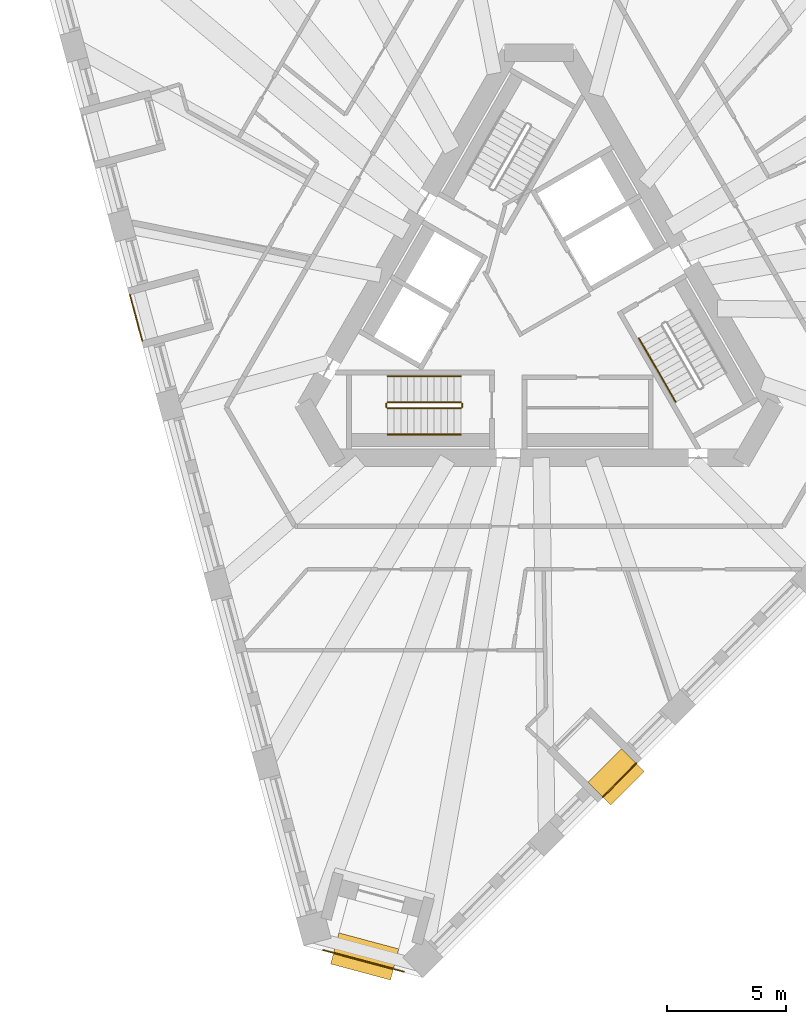
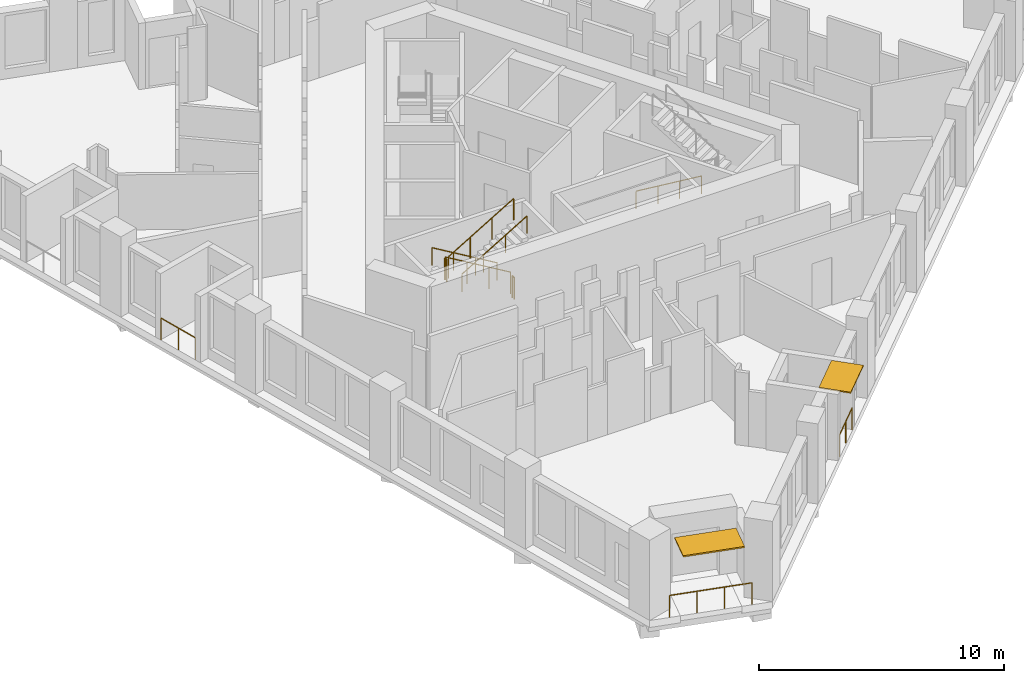
# One storey, part 10 of 13: 10 railings, 2 shading devices.
"""IFC4 building model written with IfcOpenShell, lengths in metres."""

from ifc_helpers import new_model, si_unit, direction, frame, origin, origin_2d, place, context, subcontext, project, spatial, rectangle, circle, extrude, material, layer, layer_set, type_object, element, save


model = new_model("IFC4")

# Units and contexts
model_context = context("Model", 3, precision=1e-05, world=origin(), true_north=direction((0.0, 1.0)))
body_context = subcontext(model_context, "Body", "Model", "MODEL_VIEW")
ifc_project = project(units=[si_unit("LENGTHUNIT", "METRE"), si_unit("AREAUNIT", "SQUARE_METRE"), si_unit("VOLUMEUNIT", "CUBIC_METRE"), si_unit("PLANEANGLEUNIT", "RADIAN"), si_unit("MASSUNIT", "GRAM", prefix="KILO")], contexts=[model_context])

# Site, building, storey
site_placement = place(None, origin())
site = spatial("IfcSite", under=ifc_project, at=site_placement, CompositionType="ELEMENT")
building_placement = place(site_placement, origin())
building = spatial("IfcBuilding", under=site, at=building_placement, Name="Tramontana Tower", CompositionType="ELEMENT")
storey_placement = place(building_placement, frame((0.0, 0.0, 224.0)))
storey = spatial("IfcBuildingStorey", under=building, at=storey_placement, Name="L52", CompositionType="ELEMENT", Elevation=224.0)

# Railings
ifc_material_1 = material(Name="Laminated glass balustrade", Category="glass")
railing_type_1 = type_object("IfcRailingType", Name="GD1 Loggia glass balustrade 1100", PredefinedType="BALUSTRADE", material=ifc_material_1)
railing_1_placement = place(storey_placement, frame((-17.176025390625, 0.466552734375, 0.0)))
element("IfcRailing", 1, at=railing_1_placement, inside=storey, type_object=railing_type_1, Name="Loggia balustrade L52 G5S0.7", PredefinedType="BALUSTRADE", context=body_context, shape_type="SweptSolid", body=[
    extrude(circle(Radius=0.02392578125, at=origin_2d()), frame((0.0, 0.0, 1.076171875), z_axis=(0.258803270362, -0.96593005298, 0.0), x_axis=(0.96593005298, 0.258803270362, 0.0)), (0.0, 0.0, 1.0), 1.998046875),
    extrude(circle(Radius=0.02099609375, at=origin_2d()), origin(), (0.0, 0.0, 1.0), 1.052001953125),
    extrude(circle(Radius=0.02099609375, at=origin_2d()), frame((0.258544921875, -0.96484375, 0.0)), (0.0, 0.0, 1.0), 1.052001953125),
    extrude(circle(Radius=0.02099609375, at=origin_2d()), frame((0.51708984375, -1.929931640625, 0.0)), (0.0, 0.0, 1.0), 1.052001953125),
])
railing_2_placement = place(storey_placement, frame((2.672607421875, -20.619384765625, 0.0)))
element("IfcRailing", 2, at=railing_2_placement, inside=storey, type_object=railing_type_1, Name="Loggia balustrade L52 G5S1.4", PredefinedType="BALUSTRADE", context=body_context, shape_type="SweptSolid", body=[
    extrude(circle(Radius=0.02392578125, at=origin_2d()), frame((0.0, 0.0, 1.076171875), z_axis=(0.707106781187, 0.707106781187, 0.0), x_axis=(-0.707106781187, 0.707106781187, 0.0)), (0.0, 0.0, 1.0), 1.998046875),
    extrude(circle(Radius=0.02099609375, at=origin_2d()), origin(), (0.0, 0.0, 1.0), 1.052001953125),
    extrude(circle(Radius=0.02099609375, at=origin_2d()), frame((0.70654296875, 0.70654296875, 0.0)), (0.0, 0.0, 1.0), 1.052001953125),
    extrude(circle(Radius=0.02099609375, at=origin_2d()), frame((1.412841796875, 1.412841796875, 0.0)), (0.0, 0.0, 1.0), 1.052001953125),
])
railing_3_placement = place(storey_placement, frame((-5.67822265625, -27.952880859375, 0.0)))
element("IfcRailing", 3, at=railing_3_placement, inside=storey, type_object=railing_type_1, Name="Corner loggia balustrade L52 K51", PredefinedType="BALUSTRADE", context=body_context, shape_type="SweptSolid", body=[
    extrude(circle(Radius=0.02392578125, at=origin_2d()), frame((0.0, 0.0, 1.076171875), z_axis=(-0.965913486506, 0.258865093408, 0.0), x_axis=(-0.258865093408, -0.965913486506, 0.0)), (0.0, 0.0, 1.0), 3.5),
    extrude(circle(Radius=0.02099609375, at=origin_2d()), origin(), (0.0, 0.0, 1.0), 1.052001953125),
    extrude(circle(Radius=0.02099609375, at=origin_2d()), frame((-1.126953125, 0.302001953125, 0.0)), (0.0, 0.0, 1.0), 1.052001953125),
    extrude(circle(Radius=0.02099609375, at=origin_2d()), frame((-2.253662109375, 0.60400390625, 0.0)), (0.0, 0.0, 1.0), 1.052001953125),
    extrude(circle(Radius=0.02099609375, at=origin_2d()), frame((-3.380615234375, 0.906005859375, 0.0)), (0.0, 0.0, 1.0), 1.052001953125),
])

# Shading devices
ifc_material_2 = material(Name="Precast concrete 60 MPa", Category="concrete")
ifc_layer_1 = layer(ifc_material_2, 0.06005859375)
ifc_layer_set_1 = layer_set([ifc_layer_1], Name="SS1 Stone sunshade blade 60")
shading_device_type_1 = type_object("IfcShadingDeviceType", Name="SS1 Stone sunshade blade 60", PredefinedType="USERDEFINED", material=ifc_layer_set_1)
shading_device_1_placement = place(storey_placement, frame((3.2412109375, -19.775146484375, 3.239990234375), z_axis=(0.0, 0.0, 1.0), x_axis=(0.707106781187, 0.707106781187, 0.0)))
element("IfcShadingDevice", 4, at=shading_device_1_placement, inside=storey, type_object=shading_device_type_1, Name="Sunshade L52 G5S1.4", ObjectType="SUNSHADE", PredefinedType="USERDEFINED", context=body_context, shape_type="SweptSolid", body=[
    extrude(rectangle(XDim=1.998046875, YDim=1.35009765625, at=origin_2d()), origin(), (0.0, 0.0, 1.0), 0.06005859375),
])
ifc_material_3 = material(Name="Precast concrete 60 MPa", Category="concrete")
ifc_layer_2 = layer(ifc_material_3, 0.070068359375)
ifc_layer_set_2 = layer_set([ifc_layer_2], Name="SS2 Stone sunshade blade 70")
shading_device_type_2 = type_object("IfcShadingDeviceType", Name="SS2 Stone sunshade blade 70", PredefinedType="USERDEFINED", material=ifc_layer_set_2)
shading_device_2_placement = place(storey_placement, frame((-7.318115234375, -27.3115234375, 3.22998046875), z_axis=(0.0, 0.0, 1.0), x_axis=(-0.965925826289, 0.258819045103, 0.0)))
element("IfcShadingDevice", 5, at=shading_device_2_placement, inside=storey, type_object=shading_device_type_2, Name="Corner sunshade L52 K51", ObjectType="SUNSHADE", PredefinedType="USERDEFINED", context=body_context, shape_type="SweptSolid", body=[
    extrude(rectangle(XDim=2.60009765625, YDim=1.35009765625, at=origin_2d()), origin(), (0.0, 0.0, 1.0), 0.070068359375),
])

# Railings
ifc_material_4 = material(Name="Painted steel", Category="steel")
railing_type_2 = type_object("IfcRailingType", Name="STAIR GUARD 1100", PredefinedType="GUARDRAIL", material=ifc_material_4)
railing_4_placement = place(storey_placement, frame((-3.280029296875, -4.050048828125, 0.166748046875)))
element("IfcRailing", 6, at=railing_4_placement, inside=storey, type_object=railing_type_2, Name="L52 ST2 stair guard 1", PredefinedType="GUARDRAIL", context=body_context, shape_type="SweptSolid", body=[
    extrude(circle(Radius=0.02392578125, at=origin_2d()), frame((0.0, 0.0, 1.076171875), z_axis=(-0.859308565015, 0.0, 0.511457515432), x_axis=(0.0, -1.0, 0.0)), (0.0, 0.0, 1.0), 3.58447265625),
    extrude(circle(Radius=0.02099609375, at=origin_2d()), origin(), (0.0, 0.0, 1.0), 1.052001953125),
    extrude(circle(Radius=0.02099609375, at=origin_2d()), frame((-1.026611328125, 0.0, 0.611083984375)), (0.0, 0.0, 1.0), 1.052001953125),
    extrude(circle(Radius=0.02099609375, at=origin_2d()), frame((-2.053466796875, 0.0, 1.22216796875)), (0.0, 0.0, 1.0), 1.052001953125),
    extrude(circle(Radius=0.02099609375, at=origin_2d()), frame((-3.080078125, 0.0, 1.833251953125)), (0.0, 0.0, 1.0), 1.052001953125),
])
railing_5_placement = place(storey_placement, frame((-6.360107421875, -4.300048828125, 2.166748046875)))
element("IfcRailing", 7, at=railing_5_placement, inside=storey, type_object=railing_type_2, Name="L52 ST2 stair guard 2", PredefinedType="GUARDRAIL", context=body_context, shape_type="SweptSolid", body=[
    extrude(circle(Radius=0.02392578125, at=origin_2d()), frame((0.0, 0.0, 1.076171875), z_axis=(0.859308565015, 0.0, 0.511457515432), x_axis=(0.0, 1.0, 0.0)), (0.0, 0.0, 1.0), 3.58447265625),
    extrude(circle(Radius=0.02099609375, at=origin_2d()), origin(), (0.0, 0.0, 1.0), 1.052001953125),
    extrude(circle(Radius=0.02099609375, at=origin_2d()), frame((1.026611328125, 0.0, 0.611083984375)), (0.0, 0.0, 1.0), 1.052001953125),
    extrude(circle(Radius=0.02099609375, at=origin_2d()), frame((2.053466796875, 0.0, 1.22216796875)), (0.0, 0.0, 1.0), 1.052001953125),
    extrude(circle(Radius=0.02099609375, at=origin_2d()), frame((3.080078125, 0.0, 1.833251953125)), (0.0, 0.0, 1.0), 1.052001953125),
])
for number, where, name in (
    (8, (-6.409912109375, -4.10009765625, 2.0), "L52 ST2 stair guard 3"),
    (9, (-3.22998046875, -4.10009765625, 0.0), "L52 ST2 stair guard 4"),
):
    element("IfcRailing", number, at=place(storey_placement, frame(where)), inside=storey, type_object=railing_type_2, Name=name, PredefinedType="GUARDRAIL", context=body_context, shape_type="SweptSolid", body=[
        extrude(circle(Radius=0.02392578125, at=origin_2d()), frame((0.0, 0.0, 1.076171875), z_axis=(0.0, -1.0, 0.0), x_axis=(1.0, 0.0, 0.0)), (0.0, 0.0, 1.0), 0.14990234375),
        extrude(circle(Radius=0.02099609375, at=origin_2d()), origin(), (0.0, 0.0, 1.0), 1.052001953125),
        extrude(circle(Radius=0.02099609375, at=origin_2d()), frame((0.0, -0.14990234375, 0.0)), (0.0, 0.0, 1.0), 1.052001953125),
    ])
ifc_material_5 = material(Name="Painted steel", Category="steel")
railing_type_3 = type_object("IfcRailingType", Name="STAIR HANDRAIL 900", PredefinedType="HANDRAIL", material=ifc_material_5)
railing_6_placement = place(storey_placement, frame((-3.280029296875, -2.949951171875, 0.166748046875)))
element("IfcRailing", 10, at=railing_6_placement, inside=storey, type_object=railing_type_3, Name="L52 ST2 stair handrail 1", PredefinedType="HANDRAIL", context=body_context, shape_type="SweptSolid", body=[
    extrude(circle(Radius=0.02392578125, at=origin_2d()), frame((0.0, 0.0, 0.8759765625), z_axis=(-0.859308565015, 0.0, 0.511457515432), x_axis=(0.0, -1.0, 0.0)), (0.0, 0.0, 1.0), 3.58447265625),
    extrude(circle(Radius=0.02099609375, at=origin_2d()), origin(), (0.0, 0.0, 1.0), 0.851806640625),
    extrude(circle(Radius=0.02099609375, at=origin_2d()), frame((-1.026611328125, 0.0, 0.611083984375)), (0.0, 0.0, 1.0), 0.851806640625),
    extrude(circle(Radius=0.02099609375, at=origin_2d()), frame((-2.053466796875, 0.0, 1.22216796875)), (0.0, 0.0, 1.0), 0.851806640625),
    extrude(circle(Radius=0.02099609375, at=origin_2d()), frame((-3.080078125, 0.0, 1.833251953125)), (0.0, 0.0, 1.0), 0.851806640625),
])
railing_7_placement = place(storey_placement, frame((-6.360107421875, -5.39990234375, 2.166748046875)))
element("IfcRailing", 11, at=railing_7_placement, inside=storey, type_object=railing_type_3, Name="L52 ST2 stair handrail 2", PredefinedType="HANDRAIL", context=body_context, shape_type="SweptSolid", body=[
    extrude(circle(Radius=0.02392578125, at=origin_2d()), frame((0.0, 0.0, 0.8759765625), z_axis=(0.859308565015, 0.0, 0.511457515432), x_axis=(0.0, 1.0, 0.0)), (0.0, 0.0, 1.0), 3.58447265625),
    extrude(circle(Radius=0.02099609375, at=origin_2d()), origin(), (0.0, 0.0, 1.0), 0.851806640625),
    extrude(circle(Radius=0.02099609375, at=origin_2d()), frame((1.026611328125, 0.0, 0.611083984375)), (0.0, 0.0, 1.0), 0.851806640625),
    extrude(circle(Radius=0.02099609375, at=origin_2d()), frame((2.053466796875, 0.0, 1.22216796875)), (0.0, 0.0, 1.0), 0.851806640625),
    extrude(circle(Radius=0.02099609375, at=origin_2d()), frame((3.080078125, 0.0, 1.833251953125)), (0.0, 0.0, 1.0), 0.851806640625),
])
railing_8_placement = place(storey_placement, frame((4.19482421875, -1.365478515625, 0.166748046875)))
element("IfcRailing", 12, at=railing_8_placement, inside=storey, type_object=railing_type_3, Name="L52 ST3 stair handrail 1", PredefinedType="HANDRAIL", context=body_context, shape_type="SweptSolid", body=[
    extrude(circle(Radius=0.02392578125, at=origin_2d()), frame((0.0, 0.0, 0.8759765625), z_axis=(0.429649414936, -0.744189839504, 0.511451721109), x_axis=(0.866029832698, 0.499992328818, 0.0)), (0.0, 0.0, 1.0), 3.58447265625),
    extrude(circle(Radius=0.02099609375, at=origin_2d()), origin(), (0.0, 0.0, 1.0), 0.851806640625),
    extrude(circle(Radius=0.02099609375, at=origin_2d()), frame((0.513427734375, -0.88916015625, 0.611083984375)), (0.0, 0.0, 1.0), 0.851806640625),
    extrude(circle(Radius=0.02099609375, at=origin_2d()), frame((1.026611328125, -1.7783203125, 1.22216796875)), (0.0, 0.0, 1.0), 0.851806640625),
    extrude(circle(Radius=0.02099609375, at=origin_2d()), frame((1.5400390625, -2.66748046875, 1.833251953125)), (0.0, 0.0, 1.0), 0.851806640625),
])

save(model, "model.ifc")
